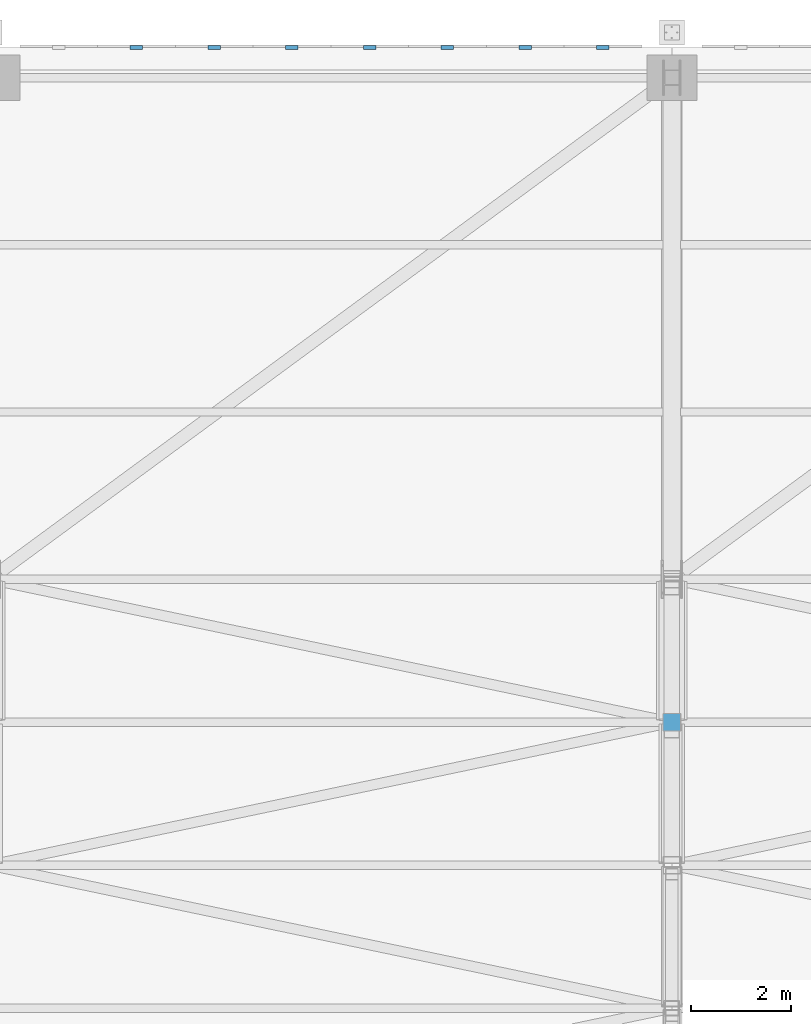
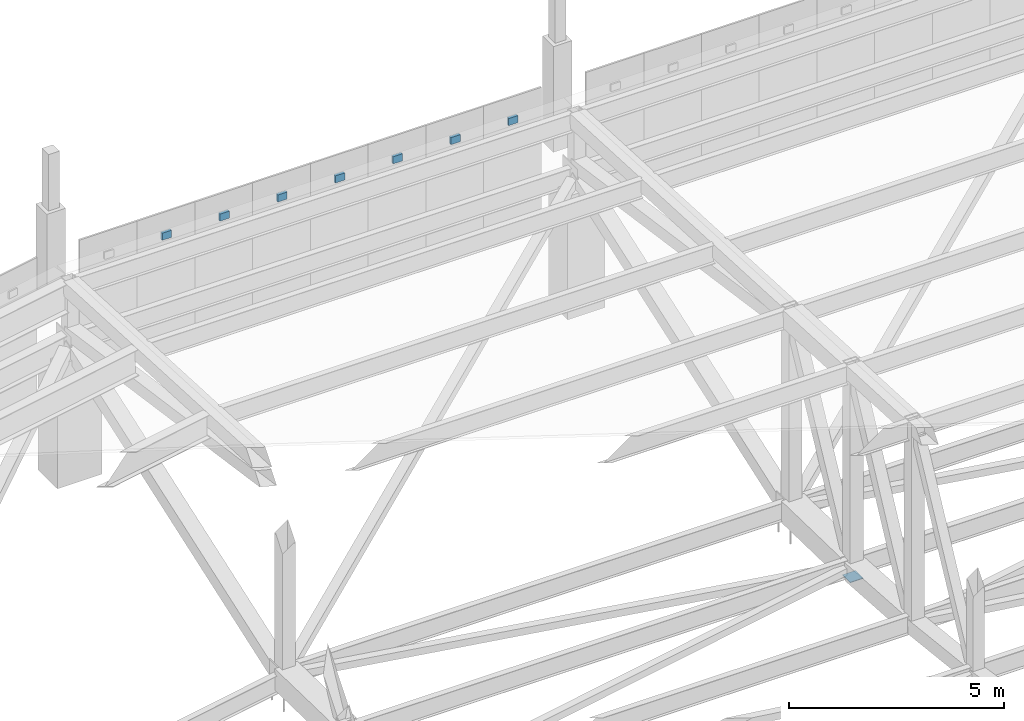
# One storey, part 231 of 278: 8 discrete accessories.
"""IFC4 building model written with IfcOpenShell, lengths in metres."""

from ifc_helpers import new_model, si_unit, direction, frame, origin, origin_2d, place, context, subcontext, project, spatial, rectangle, extrude, material, layer, layer_set, type_object, element, save


model = new_model("IFC4")

# Units and contexts
model_context = context("Model", 3, precision=1e-05, world=origin(), true_north=direction((0.0, 1.0)))
body_context = subcontext(model_context, "Body", "Model", "MODEL_VIEW")
ifc_project = project(units=[si_unit("LENGTHUNIT", "METRE"), si_unit("AREAUNIT", "SQUARE_METRE"), si_unit("VOLUMEUNIT", "CUBIC_METRE"), si_unit("PLANEANGLEUNIT", "RADIAN"), si_unit("MASSUNIT", "GRAM", prefix="KILO")], contexts=[model_context])

# Site, building, storey
site_placement = place(None, origin())
site = spatial("IfcSite", under=ifc_project, at=site_placement, CompositionType="ELEMENT")
building_placement = place(site_placement, origin())
building = spatial("IfcBuilding", under=site, at=building_placement, Name="Ogive Plaza Stadium", CompositionType="ELEMENT")
storey_placement = place(building_placement, frame((0.0, 0.0, 29.0)))
storey = spatial("IfcBuildingStorey", under=building, at=storey_placement, Name="Roof", CompositionType="ELEMENT", Elevation=29.0)

# Discrete accessories
ifc_material_1 = material(Name="Steel ASTM A992 Grade 50", Category="steel")
ifc_layer_1 = layer(ifc_material_1, 0.02001953125)
ifc_layer_set_1 = layer_set([ifc_layer_1], Name="Steel ASTM A992 Grade 50")
discrete_accessory_type_1 = type_object("IfcDiscreteAccessoryType", Name="Roof truss post cap plate 20", PredefinedType="ANCHORPLATE", material=ifc_layer_set_1)
discrete_accessory_placement = place(storey_placement, frame((-20.39990234375, 89.64990234375, 0.04541015625), z_axis=(0.0, 0.0, 1.0), x_axis=(0.0, 1.0, 0.0)))
element("IfcDiscreteAccessory", 1, at=discrete_accessory_placement, inside=storey, type_object=discrete_accessory_type_1, Name="ROOF TRUSS POST CAP PLATE 33 10", PredefinedType="ANCHORPLATE", context=body_context, shape_type="SweptSolid", body=[
    extrude(rectangle(XDim=0.355712890625, YDim=0.355712890625, at=origin_2d()), origin(), (0.0, 0.0, 1.0), 0.02001953125),
])
ifc_material_2 = material(Name="Steel ASTM A572 Grade 50", Category="steel")
ifc_layer_2 = layer(ifc_material_2, 0.080078125)
ifc_layer_set_2 = layer_set([ifc_layer_2], Name="Steel ASTM A572 Grade 50")
discrete_accessory_type_2 = type_object("IfcDiscreteAccessoryType", Name="Tracery screen bracket 250x200", PredefinedType="BRACKET", material=ifc_layer_set_2)
for number, where, z_axis, x_axis, name in (
    (2, (-31.074951171875, 103.102294921875, 5.25), (0.0, 0.0, 1.0), (1.0, 0.0, 0.0), "TRACERY SCREEN BRACKET B32 2"),
    (3, (-29.52490234375, 103.102294921875, 5.25), (0.0, 0.0, 1.0), (1.0, 0.0, 0.0), "TRACERY SCREEN BRACKET B32 3"),
    (4, (-27.97509765625, 103.102294921875, 5.25), (0.0, 0.0, 1.0), (1.0, 0.0, 0.0), "TRACERY SCREEN BRACKET B32 4"),
    (5, (-26.425048828125, 103.102294921875, 5.25), (0.0, 0.0, 1.0), (1.0, 0.0, 0.0), "TRACERY SCREEN BRACKET B32 5"),
    (6, (-24.875, 103.102294921875, 5.25), (0.0, 0.0, 1.0), (1.0, 0.0, 0.0), "TRACERY SCREEN BRACKET B32 6"),
    (7, (-23.324951171875, 103.102294921875, 5.25), (0.0, 0.0, 1.0), (1.0, 0.0, 0.0), "TRACERY SCREEN BRACKET B32 7"),
    (8, (-21.77490234375, 103.102294921875, 5.25), (0.0, 0.0, 1.0), (1.0, 0.0, 0.0), "TRACERY SCREEN BRACKET B32 8"),
):
    element("IfcDiscreteAccessory", number, at=place(storey_placement, frame(where, z_axis=z_axis, x_axis=x_axis)), inside=storey, type_object=discrete_accessory_type_2, Name=name, PredefinedType="BRACKET", context=body_context, shape_type="SweptSolid", body=[
        extrude(rectangle(XDim=0.25, YDim=0.080078125, at=origin_2d()), origin(), (0.0, 0.0, 1.0), 0.199951171875),
    ])

save(model, "model.ifc")
